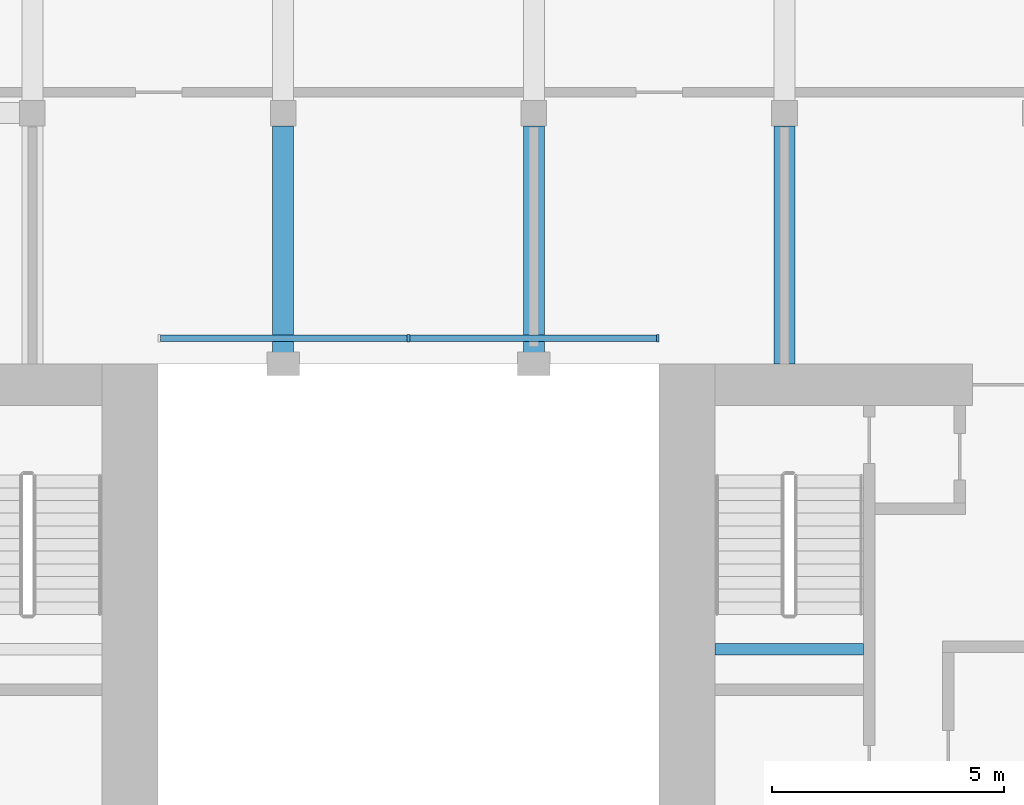
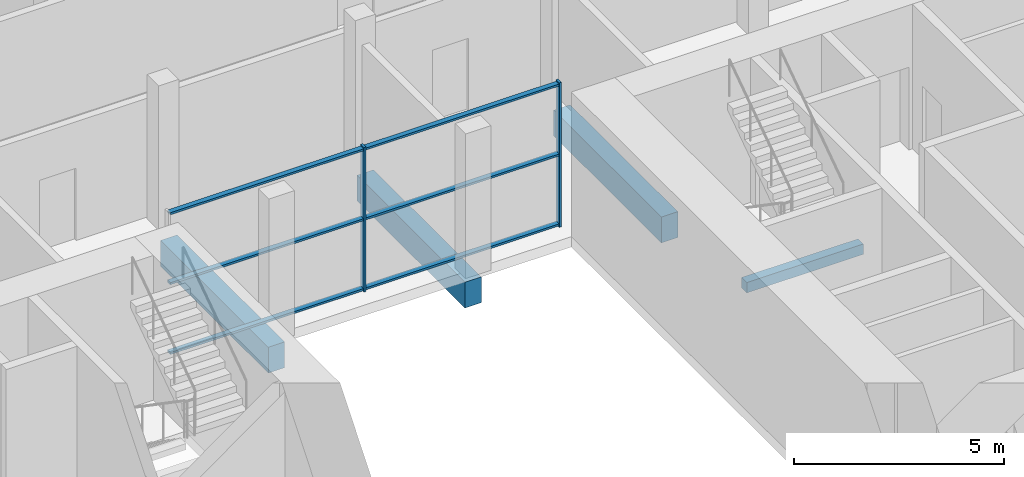
# One storey, part 4 of 11: 8 members, 4 beams, 1 element without a shape of its own.
"""IFC4 building model written with IfcOpenShell, lengths in metres."""

from ifc_helpers import new_model, si_unit, direction, frame, origin, origin_2d, place, context, subcontext, project, spatial, rectangle, extrude, material, material_profile, profile_set, type_object, element, aggregate, save


model = new_model("IFC4")

# Units and contexts
model_context = context("Model", 3, precision=1e-05, world=origin(), true_north=direction((0.0, 1.0)))
body_context = subcontext(model_context, "Body", "Model", "MODEL_VIEW")
ifc_project = project(units=[si_unit("LENGTHUNIT", "METRE"), si_unit("AREAUNIT", "SQUARE_METRE"), si_unit("VOLUMEUNIT", "CUBIC_METRE"), si_unit("PLANEANGLEUNIT", "RADIAN"), si_unit("MASSUNIT", "GRAM", prefix="KILO")], contexts=[model_context])

# Site, building, storey
site_placement = place(None, origin())
site = spatial("IfcSite", under=ifc_project, at=site_placement, CompositionType="ELEMENT")
building_placement = place(site_placement, origin())
building = spatial("IfcBuilding", under=site, at=building_placement, Name="Tabaq Tower and Sports Hall", CompositionType="ELEMENT")
storey_placement = place(building_placement, frame((0.0, 0.0, 312.699951171875)))
storey = spatial("IfcBuildingStorey", under=building, at=storey_placement, Name="L78", CompositionType="ELEMENT", Elevation=312.699951171875)

# Curtain wall, members
ifc_material_1 = material(Name="Aluminium alloy 6063-T6 framed glazing", Category="aluminium")
curtain_wall_type = type_object("IfcCurtainWallType", Name="CW1 curtain wall", PredefinedType="USERDEFINED", material=ifc_material_1)
curtain_wall_placement = place(storey_placement, origin())
curtain_wall = element("IfcCurtainWall", 1, at=curtain_wall_placement, inside=storey, type_object=curtain_wall_type, Name="Atrium glazing L78 N", ObjectType="ATRIUM ENCLOSURE", PredefinedType="USERDEFINED")
ifc_material_2 = material(Name="Aluminium alloy 6063-T6", Category="aluminium")
ifc_material_profile_1 = material_profile(ifc_material_2, rectangle(XDim=0.159912109375, YDim=0.06005859375, at=origin_2d()), Name="MULLION 160x60")
ifc_profile_set_1 = profile_set([ifc_material_profile_1], Name="Aluminium alloy 6063-T6")
member_type_1 = type_object("IfcMemberType", Name="CW1 mullion 160x60", PredefinedType="MULLION", material=ifc_profile_set_1)
member_1_placement = place(storey_placement, frame((24.300048828125, 32.949951171875, 0.0), z_axis=(0.0, 0.0, 1.0), x_axis=(0.0, 1.0, 0.0)))
member_1 = element("IfcMember", 2, at=member_1_placement, type_object=member_type_1, Name="CW1 mullion 2", PredefinedType="MULLION", context=body_context, shape_type="SweptSolid", body=[
    extrude(rectangle(XDim=0.159912109375, YDim=0.06005859375, at=origin_2d()), origin(), (0.0, 0.0, 1.0), 4.199951171875),
])
member_2_placement = place(storey_placement, frame((29.669921875, 32.949951171875, 0.0), z_axis=(0.0, 0.0, 1.0), x_axis=(0.0, 1.0, 0.0)))
member_2 = element("IfcMember", 3, at=member_2_placement, type_object=member_type_1, Name="CW1 mullion 3", PredefinedType="MULLION", context=body_context, shape_type="SweptSolid", body=[
    extrude(rectangle(XDim=0.159912109375, YDim=0.06005859375, at=origin_2d()), origin(), (0.0, 0.0, 1.0), 4.199951171875),
])
ifc_material_3 = material(Name="Aluminium alloy 6063-T6", Category="aluminium")
ifc_material_profile_2 = material_profile(ifc_material_3, rectangle(XDim=0.139892578125, YDim=0.06005859375, at=origin_2d()), Name="TRANSOM 140x60")
ifc_profile_set_2 = profile_set([ifc_material_profile_2], Name="Aluminium alloy 6063-T6")
member_type_2 = type_object("IfcMemberType", Name="CW1 transom 140x60", PredefinedType="USERDEFINED", material=ifc_profile_set_2)
member_3_placement = place(storey_placement, frame((18.9599609375, 32.949951171875, 0.070068359375), z_axis=(1.0, 0.0, 0.0), x_axis=(0.0, 1.0, 0.0)))
member_3 = element("IfcMember", 4, at=member_3_placement, type_object=member_type_2, Name="CW1 transom 1.1", ObjectType="TRANSOM", PredefinedType="USERDEFINED", context=body_context, shape_type="SweptSolid", body=[
    extrude(rectangle(XDim=0.139892578125, YDim=0.06005859375, at=origin_2d()), origin(), (0.0, 0.0, 1.0), 5.31005859375),
])
member_4_placement = place(storey_placement, frame((18.9599609375, 32.949951171875, 2.10009765625), z_axis=(1.0, 0.0, 0.0), x_axis=(0.0, 1.0, 0.0)))
member_4 = element("IfcMember", 5, at=member_4_placement, type_object=member_type_2, Name="CW1 transom 1.2", ObjectType="TRANSOM", PredefinedType="USERDEFINED", context=body_context, shape_type="SweptSolid", body=[
    extrude(rectangle(XDim=0.139892578125, YDim=0.06005859375, at=origin_2d()), origin(), (0.0, 0.0, 1.0), 5.31005859375),
])
member_5_placement = place(storey_placement, frame((18.9599609375, 32.949951171875, 4.130126953125), z_axis=(1.0, 0.0, 0.0), x_axis=(0.0, 1.0, 0.0)))
member_5 = element("IfcMember", 6, at=member_5_placement, type_object=member_type_2, Name="CW1 transom 1.3", ObjectType="TRANSOM", PredefinedType="USERDEFINED", context=body_context, shape_type="SweptSolid", body=[
    extrude(rectangle(XDim=0.139892578125, YDim=0.06005859375, at=origin_2d()), origin(), (0.0, 0.0, 1.0), 5.31005859375),
])
member_6_placement = place(storey_placement, frame((24.330078125, 32.949951171875, 0.070068359375), z_axis=(1.0, 0.0, 0.0), x_axis=(0.0, 1.0, 0.0)))
member_6 = element("IfcMember", 7, at=member_6_placement, type_object=member_type_2, Name="CW1 transom 2.1", ObjectType="TRANSOM", PredefinedType="USERDEFINED", context=body_context, shape_type="SweptSolid", body=[
    extrude(rectangle(XDim=0.139892578125, YDim=0.06005859375, at=origin_2d()), origin(), (0.0, 0.0, 1.0), 5.309814453125),
])
member_7_placement = place(storey_placement, frame((24.330078125, 32.949951171875, 2.10009765625), z_axis=(1.0, 0.0, 0.0), x_axis=(0.0, 1.0, 0.0)))
member_7 = element("IfcMember", 8, at=member_7_placement, type_object=member_type_2, Name="CW1 transom 2.2", ObjectType="TRANSOM", PredefinedType="USERDEFINED", context=body_context, shape_type="SweptSolid", body=[
    extrude(rectangle(XDim=0.139892578125, YDim=0.06005859375, at=origin_2d()), origin(), (0.0, 0.0, 1.0), 5.309814453125),
])
member_8_placement = place(storey_placement, frame((24.330078125, 32.949951171875, 4.130126953125), z_axis=(1.0, 0.0, 0.0), x_axis=(0.0, 1.0, 0.0)))
member_8 = element("IfcMember", 9, at=member_8_placement, type_object=member_type_2, Name="CW1 transom 2.3", ObjectType="TRANSOM", PredefinedType="USERDEFINED", context=body_context, shape_type="SweptSolid", body=[
    extrude(rectangle(XDim=0.139892578125, YDim=0.06005859375, at=origin_2d()), origin(), (0.0, 0.0, 1.0), 5.309814453125),
])
aggregate(curtain_wall, [member_1, member_2, member_3, member_4, member_5, member_6, member_7, member_8])

# Beams
ifc_material_4 = material(Name="Concrete C40/50", Category="concrete")
ifc_material_profile_3 = material_profile(ifc_material_4, rectangle(XDim=0.449951171875, YDim=0.75, at=origin_2d()), Name="CB 450x750")
ifc_profile_set_3 = profile_set([ifc_material_profile_3], Name="Concrete C40/50")
beam_type_1 = type_object("IfcBeamType", Name="PT CANTILEVER BEAM CB 450x750 C40/50", PredefinedType="BEAM", material=ifc_profile_set_3)
for number, where, z_axis, x_axis, name in (
    (10, (21.60009765625, 37.52490234375, -0.675048828125), (0.0, -1.0, 0.0), (1.0, 0.0, 0.0), "Cantilever Beam L78 N4 span 3"),
    (11, (27.0, 37.52490234375, -0.675048828125), (0.0, -1.0, 0.0), (1.0, 0.0, 0.0), "Cantilever Beam L78 N5 span 3"),
    (12, (32.39990234375, 37.52490234375, -0.675048828125), (0.0, -1.0, 0.0), (1.0, 0.0, 0.0), "Cantilever Beam L78 N6 span 3"),
):
    element("IfcBeam", number, at=place(storey_placement, frame(where, z_axis=z_axis, x_axis=x_axis)), inside=storey, type_object=beam_type_1, Name=name, PredefinedType="BEAM", context=body_context, shape_type="SweptSolid", body=[
        extrude(rectangle(XDim=0.449951171875, YDim=0.75, at=origin_2d()), origin(), (0.0, 0.0, 1.0), 5.125),
    ])
ifc_material_5 = material(Name="Concrete C40/50", Category="concrete")
ifc_material_profile_4 = material_profile(ifc_material_5, rectangle(XDim=0.25, YDim=0.300048828125, at=origin_2d()), Name="RC 250x300")
ifc_profile_set_4 = profile_set([ifc_material_profile_4], Name="Concrete C40/50")
beam_type_2 = type_object("IfcBeamType", Name="Stair landing beam 250x300", PredefinedType="BEAM", material=ifc_profile_set_4)
beam_placement = place(storey_placement, frame((30.89990234375, 26.25, 1.900146484375), z_axis=(1.0, 0.0, 0.0), x_axis=(0.0, 1.0, 0.0)))
element("IfcBeam", 13, at=beam_placement, inside=storey, type_object=beam_type_2, Name="L78 ST4 landing beam 1", PredefinedType="BEAM", context=body_context, shape_type="SweptSolid", body=[
    extrude(rectangle(XDim=0.25, YDim=0.300048828125, at=origin_2d()), origin(), (0.0, 0.0, 1.0), 3.2001953125),
])

save(model, "model.ifc")
